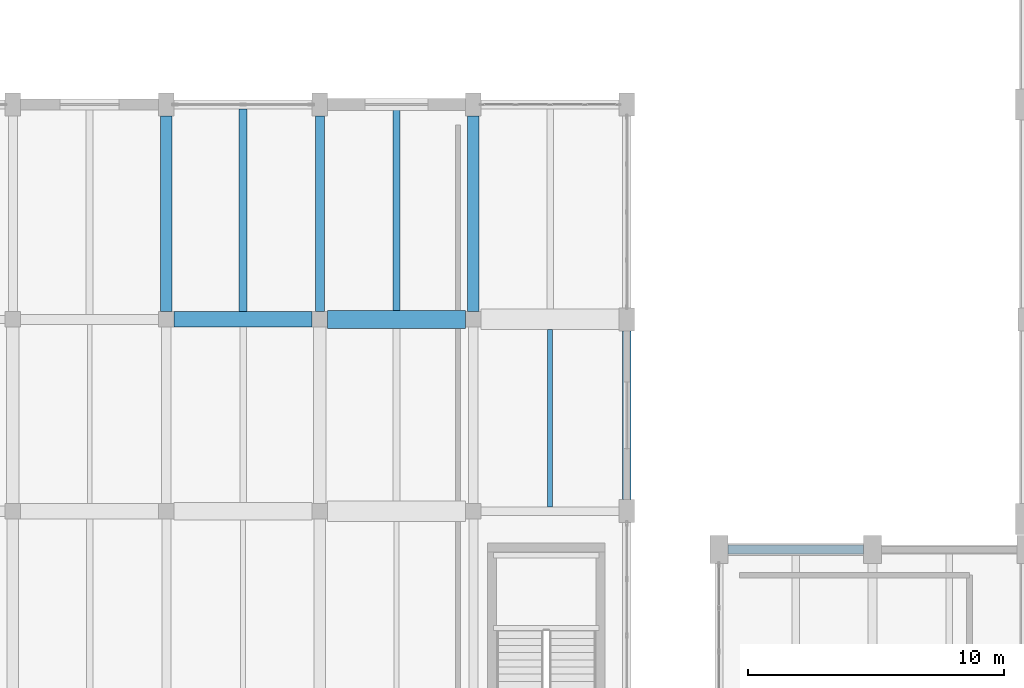
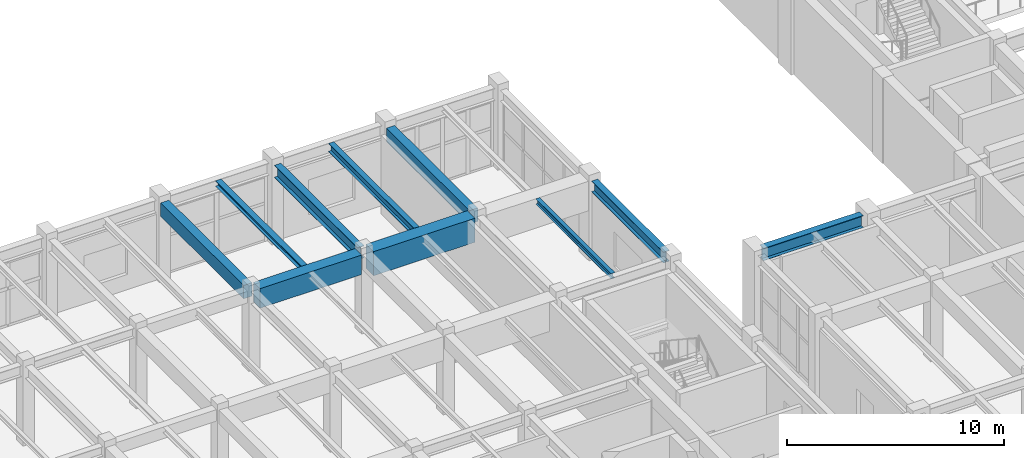
# One storey, part 41 of 85: 10 beams.
"""IFC4 building model written with IfcOpenShell, lengths in metres."""

from ifc_helpers import new_model, si_unit, direction, frame, origin, origin_2d, place, context, subcontext, project, spatial, rectangle, i_section, extrude, material, material_profile, profile_set, type_object, element, save


model = new_model("IFC4")

# Units and contexts
model_context = context("Model", 3, precision=1e-05, world=origin(), true_north=direction((0.0, 1.0)))
body_context = subcontext(model_context, "Body", "Model", "MODEL_VIEW")
ifc_project = project(units=[si_unit("LENGTHUNIT", "METRE"), si_unit("AREAUNIT", "SQUARE_METRE"), si_unit("VOLUMEUNIT", "CUBIC_METRE"), si_unit("PLANEANGLEUNIT", "RADIAN"), si_unit("MASSUNIT", "GRAM", prefix="KILO")], contexts=[model_context])

# Site, building, storey
site_placement = place(None, origin())
site = spatial("IfcSite", under=ifc_project, at=site_placement, CompositionType="ELEMENT")
building_placement = place(site_placement, origin())
building = spatial("IfcBuilding", under=site, at=building_placement, Name="Vaelkrest Opera House", CompositionType="ELEMENT")
storey_placement = place(building_placement, frame((0.0, 0.0, 10.199951171875)))
storey = spatial("IfcBuildingStorey", under=building, at=storey_placement, Name="L02", CompositionType="ELEMENT", Elevation=10.199951171875)

# Beams
ifc_material_1 = material(Name="Concrete C50/60", Category="concrete")
ifc_material_profile_1 = material_profile(ifc_material_1, rectangle(XDim=0.449951171875, YDim=0.75, at=origin_2d()), Name="RCB450X750")
ifc_profile_set_1 = profile_set([ifc_material_profile_1], Name="Concrete C50/60")
beam_type_1 = type_object("IfcBeamType", Name="B02", PredefinedType="BEAM", material=ifc_profile_set_1)
for number, where, z_axis, x_axis, name in (
    (1, (-51.60009765625, 25.5, 4.070068359375), (0.0, 1.0, 0.0), (-1.0, 0.0, 0.0), "Beam BM-V3-L02-1687"),
    (2, (-39.60009765625, 25.5, 4.070068359375), (0.0, 1.0, 0.0), (-1.0, 0.0, 0.0), "Beam BM-V3-L02-1699"),
):
    element("IfcBeam", number, at=place(storey_placement, frame(where, z_axis=z_axis, x_axis=x_axis)), inside=storey, type_object=beam_type_1, Name=name, PredefinedType="BEAM", context=body_context, shape_type="SweptSolid", body=[
        extrude(rectangle(XDim=0.449951171875, YDim=0.75, at=origin_2d()), origin(), (0.0, 0.0, 1.0), 7.64990234375),
    ])
ifc_material_profile_2 = material_profile(ifc_material_1, rectangle(XDim=0.60009765625, YDim=1.10009765625, at=origin_2d()), Name="RCB600X1100")
ifc_profile_set_2 = profile_set([ifc_material_profile_2], Name="Concrete C50/60")
beam_type_2 = type_object("IfcBeamType", Name="B05", PredefinedType="BEAM", material=ifc_profile_set_2)
beam_1_placement = place(storey_placement, frame((-51.300048828125, 25.199951171875, 3.89501953125), z_axis=(1.0, 0.0, 0.0), x_axis=(0.0, 1.0, 0.0)))
element("IfcBeam", 3, at=beam_1_placement, inside=storey, type_object=beam_type_2, Name="Beam BM-V3-L02-1654", PredefinedType="BEAM", context=body_context, shape_type="SweptSolid", body=[
    extrude(rectangle(XDim=0.60009765625, YDim=1.10009765625, at=origin_2d()), origin(), (0.0, 0.0, 1.0), 5.400146484375),
])
ifc_material_profile_3 = material_profile(ifc_material_1, rectangle(XDim=0.699951171875, YDim=1.35009765625, at=origin_2d()), Name="RCB700X1350")
ifc_profile_set_3 = profile_set([ifc_material_profile_3], Name="Concrete C50/60")
beam_type_3 = type_object("IfcBeamType", Name="B06", PredefinedType="BEAM", material=ifc_profile_set_3)
beam_2_placement = place(storey_placement, frame((-45.300048828125, 25.199951171875, 3.77001953125), z_axis=(1.0, 0.0, 0.0), x_axis=(0.0, 1.0, 0.0)))
element("IfcBeam", 4, at=beam_2_placement, inside=storey, type_object=beam_type_3, Name="Beam BM-V3-L02-1655", PredefinedType="BEAM", context=body_context, shape_type="SweptSolid", body=[
    extrude(rectangle(XDim=0.699951171875, YDim=1.35009765625, at=origin_2d()), origin(), (0.0, 0.0, 1.0), 5.400146484375),
])
ifc_material_2 = material(Name="Steel A992 Gr50", Category="steel")
ifc_material_profile_4 = material_profile(ifc_material_2, i_section(OverallWidth=0.35498046875, OverallDepth=0.695068359375, WebThickness=0.015380859375, FlangeThickness=0.02490234375, at=origin_2d()), Name="W27X146")
ifc_profile_set_4 = profile_set([ifc_material_profile_4], Name="Steel A992 Gr50")
beam_type_4 = type_object("IfcBeamType", Name="B10", PredefinedType="BEAM", material=ifc_profile_set_4)
beam_3_placement = place(storey_placement, frame((-45.60009765625, 25.5, 4.09765625), z_axis=(0.0, 1.0, 0.0), x_axis=(-1.0, 0.0, 0.0)))
element("IfcBeam", 5, at=beam_3_placement, inside=storey, type_object=beam_type_4, Name="Beam BM-V3-L02-1693", PredefinedType="BEAM", context=body_context, shape_type="SweptSolid", body=[
    extrude(i_section(OverallWidth=0.35498046875, OverallDepth=0.695068359375, WebThickness=0.015380859375, FlangeThickness=0.02490234375, at=origin_2d()), origin(), (0.0, 0.0, 1.0), 7.64990234375),
])
ifc_material_profile_5 = material_profile(ifc_material_2, i_section(OverallWidth=0.202880859375, OverallDepth=0.302978515625, WebThickness=0.007568359375, FlangeThickness=0.01318359375, at=origin_2d()), Name="W12X40")
ifc_profile_set_5 = profile_set([ifc_material_profile_5], Name="Steel A992 Gr50")
beam_type_5 = type_object("IfcBeamType", Name="J02", PredefinedType="JOIST", material=ifc_profile_set_5)
beam_4_placement = place(storey_placement, frame((-36.60009765625, 17.862060546875, 4.29345703125), z_axis=(0.0, 1.0, 0.0), x_axis=(-1.0, 0.0, 0.0)))
element("IfcBeam", 6, at=beam_4_placement, inside=storey, type_object=beam_type_5, Name="Floor joist JST-V3-L02-1732", PredefinedType="JOIST", context=body_context, shape_type="SweptSolid", body=[
    extrude(i_section(OverallWidth=0.202880859375, OverallDepth=0.302978515625, WebThickness=0.007568359375, FlangeThickness=0.01318359375, at=origin_2d()), origin(), (0.0, 0.0, 1.0), 6.93798828125),
])
ifc_material_profile_6 = material_profile(ifc_material_2, i_section(OverallWidth=0.304931640625, OverallDepth=0.30810546875, WebThickness=0.010009765625, FlangeThickness=0.015380859375, at=origin_2d()), Name="W12X65")
ifc_profile_set_6 = profile_set([ifc_material_profile_6], Name="Steel A992 Gr50")
beam_type_6 = type_object("IfcBeamType", Name="J04", PredefinedType="JOIST", material=ifc_profile_set_6)
beam_5_placement = place(storey_placement, frame((-48.60009765625, 25.5, 4.291015625), z_axis=(0.0, 1.0, 0.0), x_axis=(-1.0, 0.0, 0.0)))
element("IfcBeam", 7, at=beam_5_placement, inside=storey, type_object=beam_type_6, Name="Floor joist JST-V3-L02-1724", PredefinedType="JOIST", context=body_context, shape_type="SweptSolid", body=[
    extrude(i_section(OverallWidth=0.304931640625, OverallDepth=0.30810546875, WebThickness=0.010009765625, FlangeThickness=0.015380859375, at=origin_2d()), origin(), (0.0, 0.0, 1.0), 7.922607421875),
])
ifc_material_profile_7 = material_profile(ifc_material_2, i_section(OverallWidth=0.280029296875, OverallDepth=0.462890625, WebThickness=0.0107421875, FlangeThickness=0.017333984375, at=origin_2d()), Name="W18X76")
ifc_profile_set_7 = profile_set([ifc_material_profile_7], Name="Steel A992 Gr50")
beam_type_7 = type_object("IfcBeamType", Name="J09", PredefinedType="JOIST", material=ifc_profile_set_7)
beam_6_placement = place(storey_placement, frame((-42.60009765625, 25.550048828125, 4.213623046875), z_axis=(0.0, 1.0, 0.0), x_axis=(-1.0, 0.0, 0.0)))
element("IfcBeam", 8, at=beam_6_placement, inside=storey, type_object=beam_type_7, Name="Floor joist JST-V3-L02-1729", PredefinedType="JOIST", context=body_context, shape_type="SweptSolid", body=[
    extrude(i_section(OverallWidth=0.280029296875, OverallDepth=0.462890625, WebThickness=0.0107421875, FlangeThickness=0.017333984375, at=origin_2d()), origin(), (0.0, 0.0, 1.0), 7.87255859375),
])
ifc_material_profile_8 = material_profile(ifc_material_2, i_section(OverallWidth=0.323974609375, OverallDepth=0.611083984375, WebThickness=0.0126953125, FlangeThickness=0.01904296875, at=origin_2d()), Name="W24X104")
ifc_profile_set_8 = profile_set([ifc_material_profile_8], Name="Steel A992 Gr50")
beam_type_8 = type_object("IfcBeamType", Name="SP01", PredefinedType="SPANDREL", material=ifc_profile_set_8)
beam_7_placement = place(storey_placement, frame((-33.60009765625, 18.14990234375, 4.1396484375), z_axis=(0.0, 1.0, 0.0), x_axis=(-1.0, 0.0, 0.0)))
element("IfcBeam", 9, at=beam_7_placement, inside=storey, type_object=beam_type_8, Name="Beam BM-V3-L02-1704", PredefinedType="SPANDREL", context=body_context, shape_type="SweptSolid", body=[
    extrude(i_section(OverallWidth=0.323974609375, OverallDepth=0.611083984375, WebThickness=0.0126953125, FlangeThickness=0.01904296875, at=origin_2d()), origin(), (0.0, 0.0, 1.0), 6.60009765625),
])
ifc_material_profile_9 = material_profile(ifc_material_2, i_section(OverallWidth=0.35498046875, OverallDepth=0.695068359375, WebThickness=0.015380859375, FlangeThickness=0.02490234375, at=origin_2d()), Name="W27X146")
ifc_profile_set_9 = profile_set([ifc_material_profile_9], Name="Steel A992 Gr50")
beam_type_9 = type_object("IfcBeamType", Name="SP02", PredefinedType="SPANDREL", material=ifc_profile_set_9)
beam_8_placement = place(storey_placement, frame((-29.64990234375, 16.199951171875, 4.157470703125), z_axis=(1.0, 0.0, 0.0), x_axis=(0.0, 1.0, 0.0)))
element("IfcBeam", 10, at=beam_8_placement, inside=storey, type_object=beam_type_9, Name="Beam BM-V1-L02-0355", PredefinedType="SPANDREL", context=body_context, shape_type="SweptSolid", body=[
    extrude(i_section(OverallWidth=0.35498046875, OverallDepth=0.695068359375, WebThickness=0.015380859375, FlangeThickness=0.02490234375, at=origin_2d()), origin(), (0.0, 0.0, 1.0), 5.2998046875),
])

save(model, "model.ifc")
